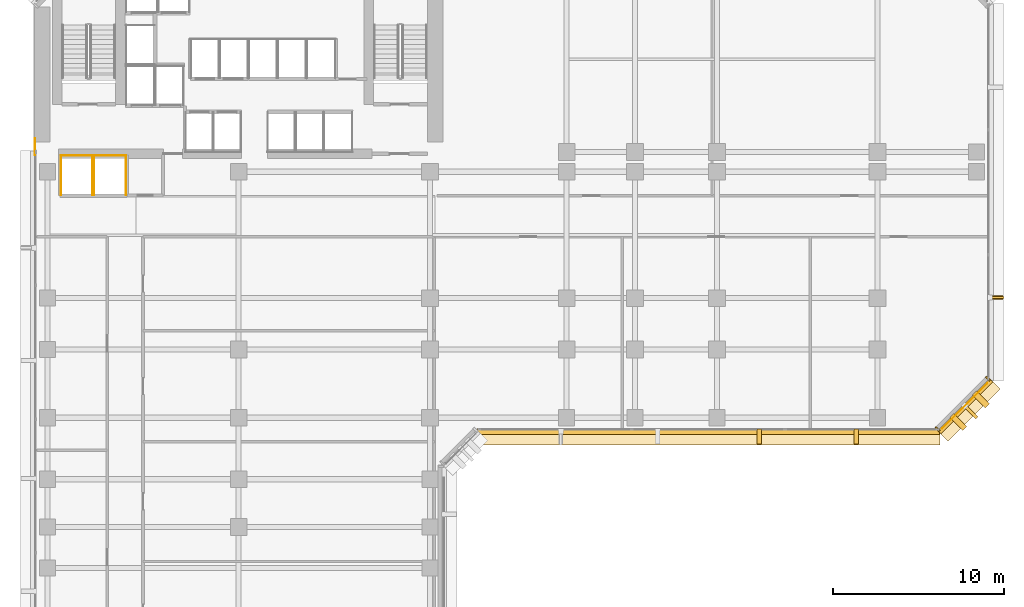
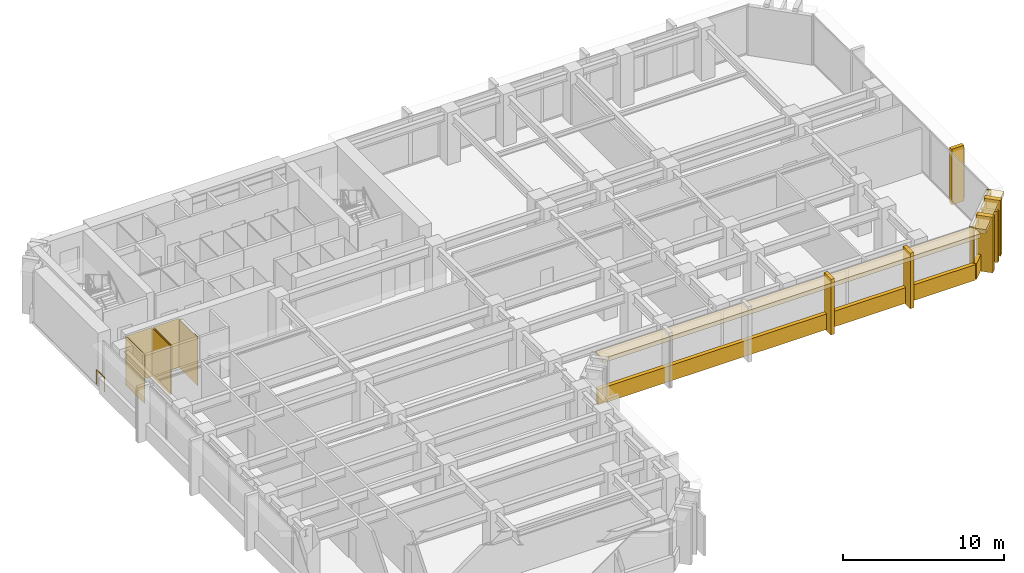
# One storey, part 11 of 14: 18 coverings, 2 shading devices, 1 railing.
"""IFC4 building model written with IfcOpenShell, lengths in metres."""

from ifc_helpers import new_model, si_unit, direction, frame, origin, origin_2d, place, context, subcontext, project, spatial, polyline, rectangle, circle, outline, extrude, material, layer, layer_set, material_profile, profile_set, type_object, element, save


model = new_model("IFC4")

# Units and contexts
model_context = context("Model", 3, precision=1e-05, world=origin(), true_north=direction((0.0, 1.0)))
body_context = subcontext(model_context, "Body", "Model", "MODEL_VIEW")
ifc_project = project(units=[si_unit("LENGTHUNIT", "METRE"), si_unit("AREAUNIT", "SQUARE_METRE"), si_unit("VOLUMEUNIT", "CUBIC_METRE"), si_unit("PLANEANGLEUNIT", "RADIAN"), si_unit("MASSUNIT", "GRAM", prefix="KILO")], contexts=[model_context])

# Site, building, storey
site_placement = place(None, origin())
site = spatial("IfcSite", under=ifc_project, at=site_placement, CompositionType="ELEMENT")
building_placement = place(site_placement, origin())
building = spatial("IfcBuilding", under=site, at=building_placement, Name="Kefirva Bronze Tower", CompositionType="ELEMENT")
storey_placement = place(building_placement, frame((0.0, 0.0, 34.320068359375)))
storey = spatial("IfcBuildingStorey", under=building, at=storey_placement, Name="L07", CompositionType="ELEMENT", Elevation=34.320068359375)

# Coverings
ifc_material_1 = material(Name="Bronze anodised aluminium", Category="aluminium")
ifc_layer_1 = layer(ifc_material_1, 0.02001953125, Name="Bronze anodised aluminium")
ifc_layer_set_1 = layer_set([ifc_layer_1], Name="Bronze anodised aluminium")
covering_type_1 = type_object("IfcCoveringType", Name="Anodised Bronze Spandrel Cladding 20mm", PredefinedType="CLADDING", material=ifc_layer_set_1)
covering_1_placement = place(storey_placement, frame((39.5, 17.9599609375, -0.16015625), z_axis=(0.0, 0.0, 1.0), x_axis=(1.0, 0.0, 0.0)))
element("IfcCovering", 1, at=covering_1_placement, inside=storey, type_object=covering_type_1, Name="L07 Streamline Horizontal Spandrel Band 4", PredefinedType="CLADDING", context=body_context, shape_type="SweptSolid", body=[
    extrude(rectangle(XDim=27.0400390625, YDim=0.280029296875, at=origin_2d()), origin(), (0.0, 0.0, 1.0), 1.179931640625),
])
covering_2_placement = place(storey_placement, frame((54.507080078125, 19.492919921875, 3.2900390625), z_axis=(0.0, 0.0, 1.0), x_axis=(0.707106781187, 0.707106781187, 0.0)))
element("IfcCovering", 2, at=covering_2_placement, inside=storey, type_object=covering_type_1, Name="L07 Bronze Spandrel Cladding 4", PredefinedType="CLADDING", context=body_context, shape_type="SweptSolid", body=[
    extrude(rectangle(XDim=3.719482421875, YDim=0.02001953125, at=origin_2d()), origin(), (0.0, 0.0, 1.0), 0.39990234375),
])
for number, where, z_axis, x_axis, name in (
    (3, (52.91162109375, 18.137939453125, 0.0), (0.0, 0.0, 1.0), (0.707106781187, 0.707106781187, 0.0), "L07 Facade Joint Closure Panel 4S"),
    (4, (55.862060546875, 21.08837890625, 0.0), (0.0, 0.0, 1.0), (0.707106781187, 0.707106781187, 0.0), "L07 Facade Joint Closure Panel 4E"),
):
    element("IfcCovering", number, at=place(storey_placement, frame(where, z_axis=z_axis, x_axis=x_axis)), inside=storey, type_object=covering_type_1, Name=name, PredefinedType="CLADDING", context=body_context, shape_type="SweptSolid", body=[
        extrude(rectangle(XDim=0.10009765625, YDim=0.320068359375, at=origin_2d()), origin(), (0.0, 0.0, 1.0), 3.7099609375),
    ])
covering_3_placement = place(storey_placement, frame((54.5283203125, 19.4716796875, -0.16015625), z_axis=(0.0, 0.0, 1.0), x_axis=(0.707106781187, 0.707106781187, 0.0)))
element("IfcCovering", 5, at=covering_3_placement, inside=storey, type_object=covering_type_1, Name="L07 Streamline Horizontal Spandrel Band 5", PredefinedType="CLADDING", context=body_context, shape_type="SweptSolid", body=[
    extrude(rectangle(XDim=4.28271484375, YDim=0.280029296875, at=origin_2d()), origin(), (0.0, 0.0, 1.0), 1.179931640625),
])
covering_4_placement = place(storey_placement, origin())
element("IfcCovering", 6, at=covering_4_placement, inside=storey, type_object=covering_type_1, Name="L07 Lift OB1 Hoistway Liner N", PredefinedType="CLADDING", context=body_context, shape_type="SweptSolid", body=[
    extrude(outline(polyline([(1.580078125, 34.139892578125), (3.469970703125, 34.139892578125), (3.469970703125, 34.159912109375), (1.580078125, 34.159912109375), (1.580078125, 34.139892578125)])), origin(), (0.0, 0.0, 1.0), 3.7099609375),
])
covering_5_placement = place(storey_placement, origin())
element("IfcCovering", 7, at=covering_5_placement, inside=storey, type_object=covering_type_1, Name="L07 Lift OB1 Hoistway Liner W", PredefinedType="CLADDING", context=body_context, shape_type="SweptSolid", body=[
    extrude(outline(polyline([(1.590087890625, 31.830078125), (1.610107421875, 31.830078125), (1.610107421875, 34.169921875), (1.590087890625, 34.169921875), (1.590087890625, 31.830078125)])), origin(), (0.0, 0.0, 1.0), 3.7099609375),
])
covering_6_placement = place(storey_placement, origin())
element("IfcCovering", 8, at=covering_6_placement, inside=storey, type_object=covering_type_1, Name="L07 Lift OB1 Hoistway Liner E", PredefinedType="CLADDING", context=body_context, shape_type="SweptSolid", body=[
    extrude(outline(polyline([(3.43994140625, 31.830078125), (3.4599609375, 31.830078125), (3.4599609375, 34.169921875), (3.43994140625, 34.169921875), (3.43994140625, 31.830078125)])), origin(), (0.0, 0.0, 1.0), 3.7099609375),
])
covering_7_placement = place(storey_placement, origin())
element("IfcCovering", 9, at=covering_7_placement, inside=storey, type_object=covering_type_1, Name="L07 Lift OB2 Hoistway Liner N", PredefinedType="CLADDING", context=body_context, shape_type="SweptSolid", body=[
    extrude(outline(polyline([(3.530029296875, 34.139892578125), (5.419921875, 34.139892578125), (5.419921875, 34.159912109375), (3.530029296875, 34.159912109375), (3.530029296875, 34.139892578125)])), origin(), (0.0, 0.0, 1.0), 3.7099609375),
])
covering_8_placement = place(storey_placement, origin())
element("IfcCovering", 10, at=covering_8_placement, inside=storey, type_object=covering_type_1, Name="L07 Lift OB2 Hoistway Liner W", PredefinedType="CLADDING", context=body_context, shape_type="SweptSolid", body=[
    extrude(outline(polyline([(3.5400390625, 31.830078125), (3.56005859375, 31.830078125), (3.56005859375, 34.169921875), (3.5400390625, 34.169921875), (3.5400390625, 31.830078125)])), origin(), (0.0, 0.0, 1.0), 3.7099609375),
])
covering_9_placement = place(storey_placement, origin())
element("IfcCovering", 11, at=covering_9_placement, inside=storey, type_object=covering_type_1, Name="L07 Lift OB2 Hoistway Liner E", PredefinedType="CLADDING", context=body_context, shape_type="SweptSolid", body=[
    extrude(outline(polyline([(5.389892578125, 31.830078125), (5.409912109375, 31.830078125), (5.409912109375, 34.169921875), (5.389892578125, 34.169921875), (5.389892578125, 31.830078125)])), origin(), (0.0, 0.0, 1.0), 3.7099609375),
])

# Shading device
ifc_material_profile_1 = material_profile(ifc_material_1, rectangle(XDim=0.179931640625, YDim=1.080078125, at=origin_2d()), Name="BRONZE BUTTRESS FIN 180x1080")
ifc_profile_set_1 = profile_set([ifc_material_profile_1], Name="Bronze anodised aluminium")
shading_device_type_1 = type_object("IfcShadingDeviceType", Name="Chamfered Corner Buttress Bronze Fin 1080mm", PredefinedType="USERDEFINED", material=ifc_profile_set_1)
shading_device_1_placement = place(storey_placement, frame((54.8251953125, 19.1748046875, -0.14013671875), z_axis=(0.0, 0.0, 1.0), x_axis=(0.707106781187, 0.707106781187, 0.0)))
element("IfcShadingDevice", 12, at=shading_device_1_placement, inside=storey, type_object=shading_device_type_1, Name="L07 Chamfered Corner Buttress Fin 14", ObjectType="VERTICAL FIN", PredefinedType="USERDEFINED", context=body_context, shape_type="SweptSolid", body=[
    extrude(rectangle(XDim=0.179931640625, YDim=1.080078125, at=origin_2d()), origin(), (0.0, 0.0, 1.0), 3.85009765625),
])

# Railing
ifc_material_2 = material(Name="Stainless steel 316", Category="steel")
railing_type = type_object("IfcRailingType", Name="Interior Stair Guardrail 1100mm", PredefinedType="GUARDRAIL", material=ifc_material_2)
railing_placement = place(storey_placement, frame((0.080078125, 34.199951171875, 0.0)))
element("IfcRailing", 13, at=railing_placement, inside=storey, type_object=railing_type, Name="L07 West Core Junction Guardrail", PredefinedType="GUARDRAIL", context=body_context, shape_type="SweptSolid", body=[
    extrude(circle(Radius=0.02392578125, at=origin_2d()), frame((0.0, 0.0, 1.076171875), z_axis=(0.0, 1.0, 0.0), x_axis=(-1.0, 0.0, 0.0)), (0.0, 0.0, 1.0), 0.949951171875),
    extrude(circle(Radius=0.02099609375, at=origin_2d()), origin(), (0.0, 0.0, 1.0), 1.052001953125),
    extrude(circle(Radius=0.02099609375, at=origin_2d()), frame((0.0, 0.949951171875, 0.0)), (0.0, 0.0, 1.0), 1.052001953125),
])

# Coverings
ifc_layer_2 = layer(ifc_material_1, 0.179931640625, Name="Bronze anodised aluminium")
ifc_layer_set_2 = layer_set([ifc_layer_2], Name="Bronze anodised aluminium")
covering_type_2 = type_object("IfcCoveringType", Name="Streamline Bronze Sunshade Eyebrow Cladding 180mm", PredefinedType="CLADDING", material=ifc_layer_set_2)
covering_10_placement = place(storey_placement, frame((39.5, 17.68994140625, 3.39013671875), z_axis=(0.0, 0.0, 1.0), x_axis=(1.0, 0.0, 0.0)))
element("IfcCovering", 14, at=covering_10_placement, inside=storey, type_object=covering_type_2, Name="L07 Streamline Bronze Sunshade Eyebrow 4", PredefinedType="CLADDING", context=body_context, shape_type="SweptSolid", body=[
    extrude(rectangle(XDim=27.080078125, YDim=0.93994140625, at=origin_2d()), origin(), (0.0, 0.0, 1.0), 0.320068359375),
])
covering_11_placement = place(storey_placement, frame((54.71923828125, 19.28076171875, 3.39013671875), z_axis=(0.0, 0.0, 1.0), x_axis=(0.707106781187, 0.707106781187, 0.0)))
element("IfcCovering", 15, at=covering_11_placement, inside=storey, type_object=covering_type_2, Name="L07 Streamline Bronze Sunshade Eyebrow 5", PredefinedType="CLADDING", context=body_context, shape_type="SweptSolid", body=[
    extrude(rectangle(XDim=4.322509765625, YDim=0.93994140625, at=origin_2d()), origin(), (0.0, 0.0, 1.0), 0.320068359375),
])
ifc_layer_3 = layer(ifc_material_1, 0.260009765625, Name="Bronze anodised aluminium")
ifc_layer_set_3 = layer_set([ifc_layer_3], Name="Bronze anodised aluminium")
covering_type_3 = type_object("IfcCoveringType", Name="Unbroken Bronze Buttress Fin Cladding 260mm", PredefinedType="CLADDING", material=ifc_layer_set_3)
for number, where, z_axis, x_axis, name in (
    (16, (42.469970703125, 17.699951171875, -0.25), (0.0, 0.0, 1.0), (1.0, 0.0, 0.0), "L07 Unbroken Vertical Bronze Rib Fin 11"),
    (17, (48.139892578125, 17.699951171875, -0.25), (0.0, 0.0, 1.0), (1.0, 0.0, 0.0), "L07 Unbroken Vertical Bronze Rib Fin 12"),
):
    element("IfcCovering", number, at=place(storey_placement, frame(where, z_axis=z_axis, x_axis=x_axis)), inside=storey, type_object=covering_type_3, Name=name, PredefinedType="CLADDING", context=body_context, shape_type="SweptSolid", body=[
        extrude(rectangle(XDim=0.260009765625, YDim=0.8798828125, at=origin_2d()), origin(), (0.0, 0.0, 1.0), 4.2099609375),
    ])
for number, where, z_axis, x_axis, name in (
    (18, (54.122802734375, 18.55712890625, -0.25), (0.0, 0.0, 1.0), (0.707106781187, 0.707106781187, 0.0), "L07 Chamfered Corner Buttress Fin Cladding 13"),
    (19, (55.44287109375, 19.877197265625, -0.25), (0.0, 0.0, 1.0), (0.707106781187, 0.707106781187, 0.0), "L07 Chamfered Corner Buttress Fin Cladding 14"),
):
    element("IfcCovering", number, at=place(storey_placement, frame(where, z_axis=z_axis, x_axis=x_axis)), inside=storey, type_object=covering_type_3, Name=name, PredefinedType="CLADDING", context=body_context, shape_type="SweptSolid", body=[
        extrude(rectangle(XDim=0.340087890625, YDim=1.080078125, at=origin_2d()), origin(), (0.0, 0.0, 1.0), 4.2099609375),
    ])
covering_12_placement = place(storey_placement, frame((56.300048828125, 25.840087890625, -0.25), z_axis=(0.0, 0.0, 1.0), x_axis=(0.0, 1.0, 0.0)))
element("IfcCovering", 20, at=covering_12_placement, inside=storey, type_object=covering_type_3, Name="L07 Unbroken Vertical Bronze Rib Fin 15", PredefinedType="CLADDING", context=body_context, shape_type="SweptSolid", body=[
    extrude(rectangle(XDim=0.260009765625, YDim=0.8798828125, at=origin_2d()), origin(), (0.0, 0.0, 1.0), 4.2099609375),
])

# Shading device
ifc_material_profile_2 = material_profile(ifc_material_1, rectangle(XDim=0.139892578125, YDim=0.8798828125, at=origin_2d()), Name="BRONZE FIN 140x880")
ifc_profile_set_2 = profile_set([ifc_material_profile_2], Name="Bronze anodised aluminium")
shading_device_type_2 = type_object("IfcShadingDeviceType", Name="Unbroken Vertical Bronze Facade Fin 880mm", PredefinedType="USERDEFINED", material=ifc_profile_set_2)
shading_device_2_placement = place(storey_placement, frame((56.360107421875, 25.840087890625, -0.14013671875), z_axis=(0.0, 0.0, 1.0), x_axis=(0.0, 1.0, 0.0)))
element("IfcShadingDevice", 21, at=shading_device_2_placement, inside=storey, type_object=shading_device_type_2, Name="L07 Vertical Bronze Rib Fin 15", ObjectType="VERTICAL FIN", PredefinedType="USERDEFINED", context=body_context, shape_type="SweptSolid", body=[
    extrude(rectangle(XDim=0.139892578125, YDim=0.8798828125, at=origin_2d()), origin(), (0.0, 0.0, 1.0), 3.85009765625),
])

save(model, "model.ifc")
